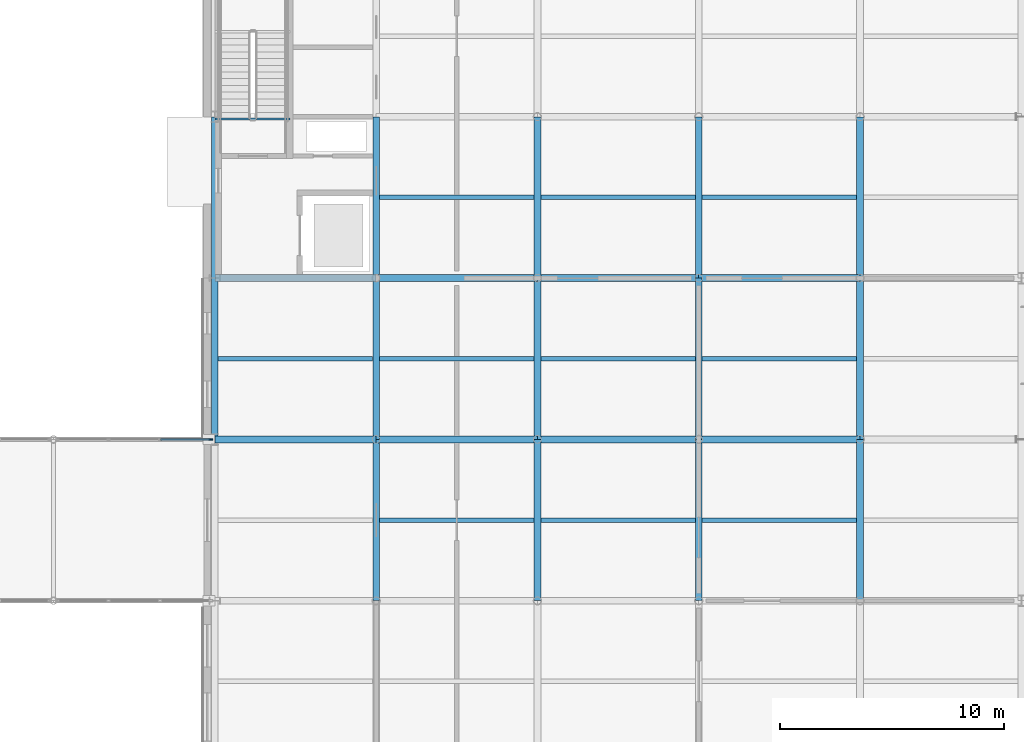
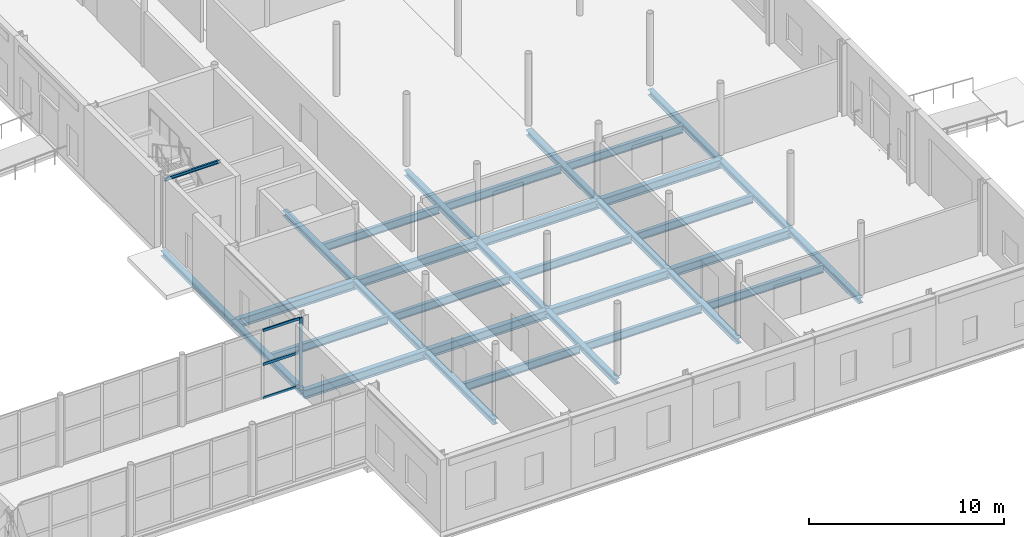
# One storey, part 40 of 92: 33 beams, 4 members, 1 element without a shape of its own.
"""IFC4 building model written with IfcOpenShell, lengths in metres."""

from ifc_helpers import new_model, si_unit, direction, frame, origin, origin_2d, place, context, subcontext, project, spatial, rectangle, i_section, extrude, material, material_profile, profile_set, type_object, element, aggregate, save


model = new_model("IFC4")

# Units and contexts
model_context = context("Model", 3, precision=1e-05, world=origin(), true_north=direction((0.0, 1.0)))
body_context = subcontext(model_context, "Body", "Model", "MODEL_VIEW")
ifc_project = project(units=[si_unit("LENGTHUNIT", "METRE"), si_unit("AREAUNIT", "SQUARE_METRE"), si_unit("VOLUMEUNIT", "CUBIC_METRE"), si_unit("PLANEANGLEUNIT", "RADIAN"), si_unit("MASSUNIT", "GRAM", prefix="KILO")], contexts=[model_context])

# Site, building, storey
site_placement = place(None, origin())
site = spatial("IfcSite", under=ifc_project, at=site_placement, CompositionType="ELEMENT")
building_placement = place(site_placement, origin())
building = spatial("IfcBuilding", under=site, at=building_placement, Name="Zlatovets Crest Museum", CompositionType="ELEMENT")
storey_placement = place(building_placement, origin())
storey = spatial("IfcBuildingStorey", under=building, at=storey_placement, Name="L00", CompositionType="ELEMENT", Elevation=0.0)

# Beams
ifc_material_1 = material(Name="Structural steel S355J2", Category="steel")
ifc_material_profile_1 = material_profile(ifc_material_1, i_section(OverallWidth=0.300048828125, OverallDepth=0.35009765625, WebThickness=0.010009765625, FlangeThickness=0.017578125, FilletRadius=0.027099609375, at=origin_2d()), Name="HEA 360")
ifc_profile_set_1 = profile_set([ifc_material_profile_1], Name="Structural steel S355J2")
beam_type_1 = type_object("IfcBeamType", Name="Beam_B-03", PredefinedType="BEAM", material=ifc_profile_set_1)
for number, where, z_axis, x_axis, name in (
    (1, (129.60009765625, 28.800048828125, -0.455078125), (0.0, 1.0, 0.0), (-1.0, 0.0, 0.0), "V5 L00 Grid Beam B-03"),
    (2, (129.60009765625, 36.0, -0.455078125), (0.0, 1.0, 0.0), (-1.0, 0.0, 0.0), "V5 L00 Grid Beam B-03"),
    (3, (136.800048828125, 21.60009765625, -0.455078125), (0.0, 1.0, 0.0), (-1.0, 0.0, 0.0), "V5 L00 Grid Beam B-03"),
    (4, (136.800048828125, 28.800048828125, -0.455078125), (0.0, 1.0, 0.0), (-1.0, 0.0, 0.0), "V5 L00 Grid Beam B-03"),
    (5, (136.800048828125, 36.0, -0.455078125), (0.0, 1.0, 0.0), (-1.0, 0.0, 0.0), "V5 L00 Grid Beam B-03"),
    (6, (144.0, 21.60009765625, -0.455078125), (0.0, 1.0, 0.0), (-1.0, 0.0, 0.0), "V5 L00 Grid Beam B-03"),
    (7, (144.0, 28.800048828125, -0.455078125), (0.0, 1.0, 0.0), (-1.0, 0.0, 0.0), "V5 L00 Grid Beam B-03"),
    (8, (144.0, 36.0, -0.455078125), (0.0, 1.0, 0.0), (-1.0, 0.0, 0.0), "V5 L00 Grid Beam B-03"),
    (9, (151.199951171875, 21.60009765625, -0.455078125), (0.0, 1.0, 0.0), (-1.0, 0.0, 0.0), "V5 L00 Grid Beam B-03"),
    (10, (151.199951171875, 28.800048828125, -0.455078125), (0.0, 1.0, 0.0), (-1.0, 0.0, 0.0), "V5 L00 Grid Beam B-03"),
    (11, (151.199951171875, 36.0, -0.455078125), (0.0, 1.0, 0.0), (-1.0, 0.0, 0.0), "V5 L00 Grid Beam B-03"),
    (12, (158.39990234375, 21.60009765625, -0.455078125), (0.0, 1.0, 0.0), (-1.0, 0.0, 0.0), "V5 L00 Grid Beam B-03"),
    (13, (158.39990234375, 28.800048828125, -0.455078125), (0.0, 1.0, 0.0), (-1.0, 0.0, 0.0), "V5 L00 Grid Beam B-03"),
    (14, (158.39990234375, 36.0, -0.455078125), (0.0, 1.0, 0.0), (-1.0, 0.0, 0.0), "V5 L00 Grid Beam B-03"),
):
    element("IfcBeam", number, at=place(storey_placement, frame(where, z_axis=z_axis, x_axis=x_axis)), inside=storey, type_object=beam_type_1, Name=name, PredefinedType="BEAM", context=body_context, shape_type="SweptSolid", body=[
        extrude(i_section(OverallWidth=0.300048828125, OverallDepth=0.35009765625, WebThickness=0.010009765625, FlangeThickness=0.017578125, FilletRadius=0.027099609375, at=origin_2d()), origin(), (0.0, 0.0, 1.0), 7.199951171875),
    ])
ifc_material_profile_2 = material_profile(ifc_material_1, i_section(OverallWidth=0.300048828125, OverallDepth=0.5400390625, WebThickness=0.012451171875, FlangeThickness=0.02392578125, FilletRadius=0.027099609375, at=origin_2d()), Name="HEA 550")
ifc_profile_set_2 = profile_set([ifc_material_profile_2], Name="Structural steel S355J2")
beam_type_2 = type_object("IfcBeamType", Name="Beam_B-09", PredefinedType="BEAM", material=ifc_profile_set_2)
for number, where, z_axis, x_axis, name in (
    (15, (129.60009765625, 28.800048828125, -0.550048828125), (1.0, 0.0, 0.0), (0.0, 1.0, 0.0), "V5 L00 Primary Girder B-09"),
    (16, (136.800048828125, 28.800048828125, -0.550048828125), (1.0, 0.0, 0.0), (0.0, 1.0, 0.0), "V5 L00 Primary Girder B-09"),
    (17, (144.0, 28.800048828125, -0.550048828125), (1.0, 0.0, 0.0), (0.0, 1.0, 0.0), "V5 L00 Primary Girder B-09"),
    (18, (151.199951171875, 28.800048828125, -0.550048828125), (1.0, 0.0, 0.0), (0.0, 1.0, 0.0), "V5 L00 Primary Girder B-09"),
    (19, (129.60009765625, 36.0, -0.550048828125), (1.0, 0.0, 0.0), (0.0, 1.0, 0.0), "V5 L00 Primary Girder B-09"),
    (20, (136.800048828125, 36.0, -0.550048828125), (1.0, 0.0, 0.0), (0.0, 1.0, 0.0), "V5 L00 Primary Girder B-09"),
    (21, (144.0, 36.0, -0.550048828125), (1.0, 0.0, 0.0), (0.0, 1.0, 0.0), "V5 L00 Primary Girder B-09"),
    (22, (151.199951171875, 36.0, -0.550048828125), (1.0, 0.0, 0.0), (0.0, 1.0, 0.0), "V5 L00 Primary Girder B-09"),
):
    element("IfcBeam", number, at=place(storey_placement, frame(where, z_axis=z_axis, x_axis=x_axis)), inside=storey, type_object=beam_type_2, Name=name, PredefinedType="BEAM", context=body_context, shape_type="SweptSolid", body=[
        extrude(i_section(OverallWidth=0.300048828125, OverallDepth=0.5400390625, WebThickness=0.012451171875, FlangeThickness=0.02392578125, FilletRadius=0.027099609375, at=origin_2d()), origin(), (0.0, 0.0, 1.0), 7.199951171875),
    ])
ifc_material_profile_3 = material_profile(ifc_material_1, i_section(OverallWidth=0.199951171875, OverallDepth=0.5, WebThickness=0.01025390625, FlangeThickness=0.01611328125, FilletRadius=0.02099609375, at=origin_2d()), Name="IPE 500")
ifc_profile_set_3 = profile_set([ifc_material_profile_3], Name="Structural steel S355J2")
beam_type_3 = type_object("IfcBeamType", Name="Beam_J-06", PredefinedType="JOIST", material=ifc_profile_set_3)
beam_1_placement = place(storey_placement, frame((129.75, 32.39990234375, -0.530029296875), z_axis=(1.0, 0.0, 0.0), x_axis=(0.0, 1.0, 0.0)))
element("IfcBeam", 23, at=beam_1_placement, inside=storey, type_object=beam_type_3, Name="V5 L00 Composite Joist J-06", PredefinedType="JOIST", context=body_context, shape_type="SweptSolid", body=[
    extrude(i_section(OverallWidth=0.199951171875, OverallDepth=0.5, WebThickness=0.01025390625, FlangeThickness=0.01611328125, FilletRadius=0.02099609375, at=origin_2d()), origin(), (0.0, 0.0, 1.0), 6.89990234375),
])
for number, where, z_axis, x_axis, name in (
    (24, (136.949951171875, 25.199951171875, -0.530029296875), (1.0, 0.0, 0.0), (0.0, 1.0, 0.0), "V5 L00 Composite Joist J-06"),
    (25, (136.949951171875, 32.39990234375, -0.530029296875), (1.0, 0.0, 0.0), (0.0, 1.0, 0.0), "V5 L00 Composite Joist J-06"),
    (26, (136.949951171875, 39.60009765625, -0.530029296875), (1.0, 0.0, 0.0), (0.0, 1.0, 0.0), "V5 L00 Composite Joist J-06"),
    (27, (144.14990234375, 25.199951171875, -0.530029296875), (1.0, 0.0, 0.0), (0.0, 1.0, 0.0), "V5 L00 Composite Joist J-06"),
    (28, (144.14990234375, 32.39990234375, -0.530029296875), (1.0, 0.0, 0.0), (0.0, 1.0, 0.0), "V5 L00 Composite Joist J-06"),
    (29, (144.14990234375, 39.60009765625, -0.530029296875), (1.0, 0.0, 0.0), (0.0, 1.0, 0.0), "V5 L00 Composite Joist J-06"),
):
    element("IfcBeam", number, at=place(storey_placement, frame(where, z_axis=z_axis, x_axis=x_axis)), inside=storey, type_object=beam_type_3, Name=name, PredefinedType="JOIST", context=body_context, shape_type="SweptSolid", body=[
        extrude(i_section(OverallWidth=0.199951171875, OverallDepth=0.5, WebThickness=0.01025390625, FlangeThickness=0.01611328125, FilletRadius=0.02099609375, at=origin_2d()), origin(), (0.0, 0.0, 1.0), 6.900146484375),
    ])
for number, where, z_axis, x_axis, name in (
    (30, (151.35009765625, 25.199951171875, -0.530029296875), (1.0, 0.0, 0.0), (0.0, 1.0, 0.0), "V5 L00 Composite Joist J-06"),
    (31, (151.35009765625, 32.39990234375, -0.530029296875), (1.0, 0.0, 0.0), (0.0, 1.0, 0.0), "V5 L00 Composite Joist J-06"),
    (32, (151.35009765625, 39.60009765625, -0.530029296875), (1.0, 0.0, 0.0), (0.0, 1.0, 0.0), "V5 L00 Composite Joist J-06"),
):
    element("IfcBeam", number, at=place(storey_placement, frame(where, z_axis=z_axis, x_axis=x_axis)), inside=storey, type_object=beam_type_3, Name=name, PredefinedType="JOIST", context=body_context, shape_type="SweptSolid", body=[
        extrude(i_section(OverallWidth=0.199951171875, OverallDepth=0.5, WebThickness=0.01025390625, FlangeThickness=0.01611328125, FilletRadius=0.02099609375, at=origin_2d()), origin(), (0.0, 0.0, 1.0), 6.89990234375),
    ])
ifc_material_profile_4 = material_profile(ifc_material_1, i_section(OverallWidth=0.10009765625, OverallDepth=0.199951171875, WebThickness=0.005615234375, FlangeThickness=0.008544921875, FilletRadius=0.011962890625, at=origin_2d()), Name="IPE 200")
ifc_profile_set_4 = profile_set([ifc_material_profile_4], Name="Structural steel S355J2")
beam_type_4 = type_object("IfcBeamType", Name="Beam_PR-02", PredefinedType="LINTEL", material=ifc_profile_set_4)
beam_2_placement = place(storey_placement, frame((129.60009765625, 43.10009765625, 4.159912109375), z_axis=(1.0, 0.0, 0.0), x_axis=(0.0, 1.0, 0.0)))
element("IfcBeam", 33, at=beam_2_placement, inside=storey, type_object=beam_type_4, Name="Core C5 L00 Stair Well Header Beam", PredefinedType="LINTEL", context=body_context, shape_type="SweptSolid", body=[
    extrude(i_section(OverallWidth=0.10009765625, OverallDepth=0.199951171875, WebThickness=0.005615234375, FlangeThickness=0.008544921875, FilletRadius=0.011962890625, at=origin_2d()), origin(), (0.0, 0.0, 1.0), 3.349853515625),
])

# Curtain wall, members
ifc_material_2 = material(Name="Bronze-anodised aluminium and low-E triple glass", Category="aluminium")
curtain_wall_type = type_object("IfcCurtainWallType", Name="CW_CW-BR4-L00-S69", PredefinedType="NOTDEFINED", material=ifc_material_2)
curtain_wall_placement = place(storey_placement, origin())
curtain_wall = element("IfcCurtainWall", 34, at=curtain_wall_placement, inside=storey, type_object=curtain_wall_type, Name="Southeast Archive Glazed Link Bridge L00 Glazed Bridge Curtain Wall", PredefinedType="NOTDEFINED")
ifc_material_3 = material(Name="Bronze-anodised aluminium EN AW-6060", Category="aluminium")
ifc_material_profile_5 = material_profile(ifc_material_3, rectangle(XDim=0.080078125, YDim=0.159912109375, at=origin_2d()), Name="ALU 80x160")
ifc_profile_set_5 = profile_set([ifc_material_profile_5], Name="Bronze-anodised aluminium EN AW-6060")
member_type_1 = type_object("IfcMemberType", Name="CWMull_M1", PredefinedType="MULLION", material=ifc_profile_set_5)
member_1_placement = place(storey_placement, frame((129.419921875, 28.800048828125, 0.0), z_axis=(0.0, 0.0, 1.0), x_axis=(0.0, 1.0, 0.0)))
member_1 = element("IfcMember", 35, at=member_1_placement, type_object=member_type_1, Name="CW-BR4-L00-S69 mullion 4", PredefinedType="MULLION", context=body_context, shape_type="SweptSolid", body=[
    extrude(rectangle(XDim=0.080078125, YDim=0.159912109375, at=origin_2d()), origin(), (0.0, 0.0, 1.0), 4.280029296875),
])
ifc_material_profile_6 = material_profile(ifc_material_3, rectangle(XDim=0.080078125, YDim=0.159912109375, at=origin_2d()), Name="ALU 80x160")
ifc_profile_set_6 = profile_set([ifc_material_profile_6], Name="Bronze-anodised aluminium EN AW-6060")
member_type_2 = type_object("IfcMemberType", Name="CWTrans_T1", PredefinedType="USERDEFINED", material=ifc_profile_set_6)
member_2_placement = place(storey_placement, frame((127.179931640625, 28.800048828125, 0.030029296875), z_axis=(1.0, 0.0, 0.0), x_axis=(0.0, 1.0, 0.0)))
member_2 = element("IfcMember", 36, at=member_2_placement, type_object=member_type_2, Name="CW-BR4-L00-S69 transom 3.1", ObjectType="TRANSOM", PredefinedType="USERDEFINED", context=body_context, shape_type="SweptSolid", body=[
    extrude(rectangle(XDim=0.080078125, YDim=0.159912109375, at=origin_2d()), origin(), (0.0, 0.0, 1.0), 2.2099609375),
])
member_3_placement = place(storey_placement, frame((127.179931640625, 28.800048828125, 2.139892578125), z_axis=(1.0, 0.0, 0.0), x_axis=(0.0, 1.0, 0.0)))
member_3 = element("IfcMember", 37, at=member_3_placement, type_object=member_type_2, Name="CW-BR4-L00-S69 transom 3.2", ObjectType="TRANSOM", PredefinedType="USERDEFINED", context=body_context, shape_type="SweptSolid", body=[
    extrude(rectangle(XDim=0.080078125, YDim=0.159912109375, at=origin_2d()), origin(), (0.0, 0.0, 1.0), 2.2099609375),
])
member_4_placement = place(storey_placement, frame((127.179931640625, 28.800048828125, 4.25), z_axis=(1.0, 0.0, 0.0), x_axis=(0.0, 1.0, 0.0)))
member_4 = element("IfcMember", 38, at=member_4_placement, type_object=member_type_2, Name="CW-BR4-L00-S69 transom 3.3", ObjectType="TRANSOM", PredefinedType="USERDEFINED", context=body_context, shape_type="SweptSolid", body=[
    extrude(rectangle(XDim=0.080078125, YDim=0.159912109375, at=origin_2d()), origin(), (0.0, 0.0, 1.0), 2.2099609375),
])
aggregate(curtain_wall, [member_1, member_2, member_3, member_4])

save(model, "model.ifc")
